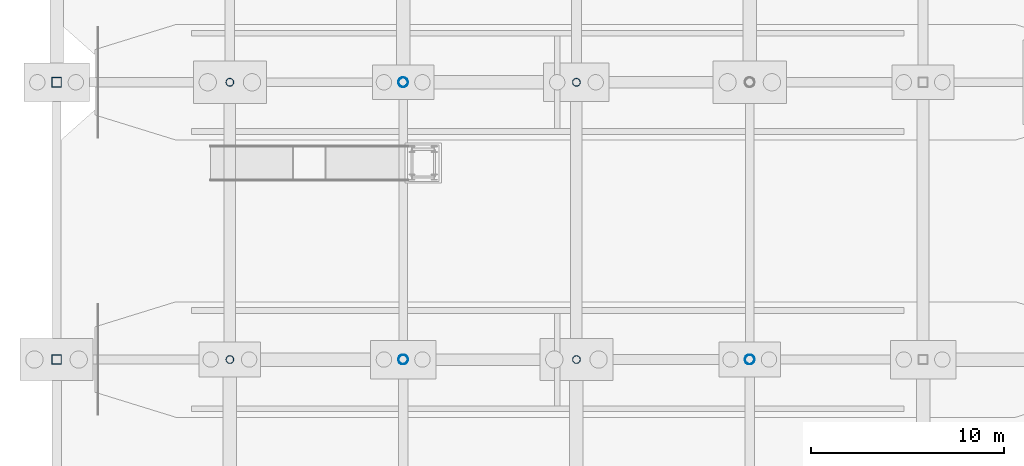
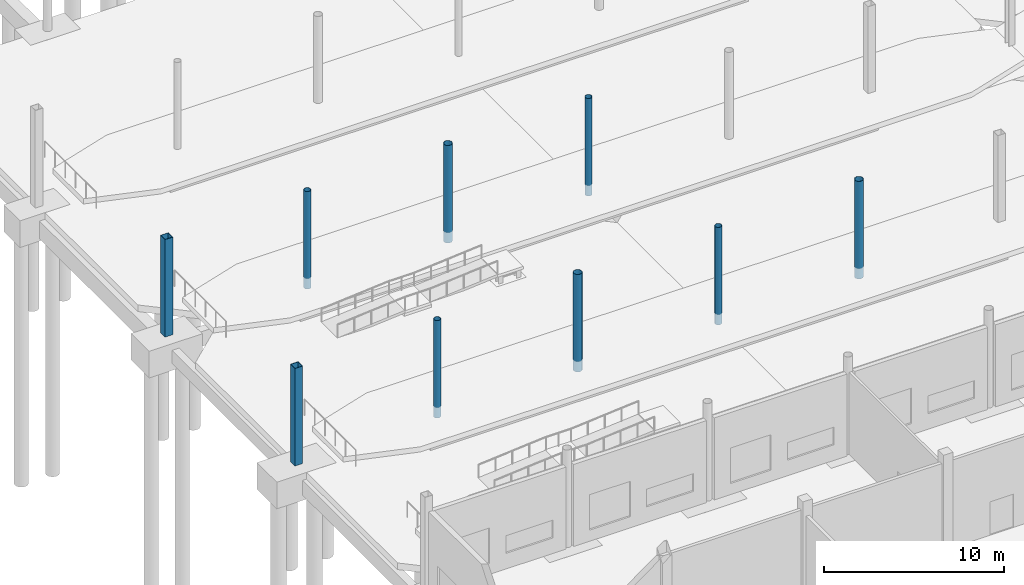
# One storey, part 11 of 115: 9 columns.
"""IFC4 building model written with IfcOpenShell, lengths in metres."""

from ifc_helpers import new_model, si_unit, direction, frame, origin, origin_2d, place, context, subcontext, project, spatial, hollow_rectangle, hollow_circle, extrude, material, material_profile, profile_set, type_object, element, save


model = new_model("IFC4")

# Units and contexts
model_context = context("Model", 3, precision=1e-05, world=origin(), true_north=direction((0.0, 1.0)))
body_context = subcontext(model_context, "Body", "Model", "MODEL_VIEW")
ifc_project = project(units=[si_unit("LENGTHUNIT", "METRE"), si_unit("AREAUNIT", "SQUARE_METRE"), si_unit("VOLUMEUNIT", "CUBIC_METRE"), si_unit("PLANEANGLEUNIT", "RADIAN"), si_unit("MASSUNIT", "GRAM", prefix="KILO")], contexts=[model_context])

# Site, building, storey
site_placement = place(None, origin())
site = spatial("IfcSite", under=ifc_project, at=site_placement, CompositionType="ELEMENT")
building_placement = place(site_placement, origin())
building = spatial("IfcBuilding", under=site, at=building_placement, Name="Tamarisk Ironworks Central Station", CompositionType="ELEMENT")
storey_placement = place(building_placement, origin())
storey = spatial("IfcBuildingStorey", under=building, at=storey_placement, Name="L00", CompositionType="ELEMENT", Elevation=0.0)

# Columns
ifc_material = material(Name="Structural steel S355J2H", Category="steel")
ifc_material_profile_1 = material_profile(ifc_material, hollow_rectangle(XDim=0.5, YDim=0.5, WallThickness=0.02001953125, at=origin_2d()), Name="SHS 500x500x20")
ifc_profile_set_1 = profile_set([ifc_material_profile_1], Name="Structural steel S355J2H")
column_type_1 = type_object("IfcColumnType", Name="COL-S13", PredefinedType="COLUMN", material=ifc_profile_set_1)
for number, where, z_axis, x_axis, name in (
    (1, (0.0, 36.0, 0.0), (0.0, 0.0, 1.0), (1.0, 0.0, 0.0), "L00 column V1-01D"),
    (2, (0.0, 50.39990234375, 0.0), (0.0, 0.0, 1.0), (1.0, 0.0, 0.0), "L00 column V1-01E"),
):
    element("IfcColumn", number, at=place(storey_placement, frame(where, z_axis=z_axis, x_axis=x_axis)), inside=storey, type_object=column_type_1, Name=name, PredefinedType="COLUMN", context=body_context, shape_type="SweptSolid", body=[
        extrude(hollow_rectangle(XDim=0.5, YDim=0.5, WallThickness=0.02001953125, at=origin_2d()), origin(), (0.0, 0.0, 1.0), 6.60009765625),
    ])
ifc_material_profile_2 = material_profile(ifc_material, hollow_circle(Radius=0.25390625, WallThickness=0.01611328125, at=origin_2d()), Name="CHS 508x16")
ifc_profile_set_2 = profile_set([ifc_material_profile_2], Name="Structural steel S355J2H")
column_type_2 = type_object("IfcColumnType", Name="COL-S16", PredefinedType="COLUMN", material=ifc_profile_set_2)
for number, where, z_axis, x_axis, name in (
    (3, (18.0, 36.0, 0.0), (0.0, 0.0, 1.0), (1.0, 0.0, 0.0), "L00 column V1-03D"),
    (4, (18.0, 50.39990234375, 0.0), (0.0, 0.0, 1.0), (1.0, 0.0, 0.0), "L00 column V1-03E"),
    (5, (36.0, 36.0, 0.0), (0.0, 0.0, 1.0), (1.0, 0.0, 0.0), "L00 column V1-05D"),
):
    element("IfcColumn", number, at=place(storey_placement, frame(where, z_axis=z_axis, x_axis=x_axis)), inside=storey, type_object=column_type_2, Name=name, PredefinedType="COLUMN", context=body_context, shape_type="SweptSolid", body=[
        extrude(hollow_circle(Radius=0.25390625, WallThickness=0.01611328125, at=origin_2d()), origin(), (0.0, 0.0, 1.0), 6.60009765625),
    ])
ifc_material_profile_3 = material_profile(ifc_material, hollow_circle(Radius=0.203125, WallThickness=0.01416015625, at=origin_2d()), Name="CHS 406.4x14.2")
ifc_profile_set_3 = profile_set([ifc_material_profile_3], Name="Structural steel S355J2H")
column_type_3 = type_object("IfcColumnType", Name="COL-S17", PredefinedType="COLUMN", material=ifc_profile_set_3)
for number, where, z_axis, x_axis, name in (
    (6, (9.0, 36.0, 0.0), (0.0, 0.0, 1.0), (1.0, 0.0, 0.0), "L00 column V1-02D"),
    (7, (9.0, 50.39990234375, 0.0), (0.0, 0.0, 1.0), (1.0, 0.0, 0.0), "L00 column V1-02E"),
    (8, (27.0, 36.0, 0.0), (0.0, 0.0, 1.0), (1.0, 0.0, 0.0), "L00 column V1-04D"),
    (9, (27.0, 50.39990234375, 0.0), (0.0, 0.0, 1.0), (1.0, 0.0, 0.0), "L00 column V1-04E"),
):
    element("IfcColumn", number, at=place(storey_placement, frame(where, z_axis=z_axis, x_axis=x_axis)), inside=storey, type_object=column_type_3, Name=name, PredefinedType="COLUMN", context=body_context, shape_type="SweptSolid", body=[
        extrude(hollow_circle(Radius=0.203125, WallThickness=0.01416015625, at=origin_2d()), origin(), (0.0, 0.0, 1.0), 6.60009765625),
    ])

save(model, "model.ifc")
